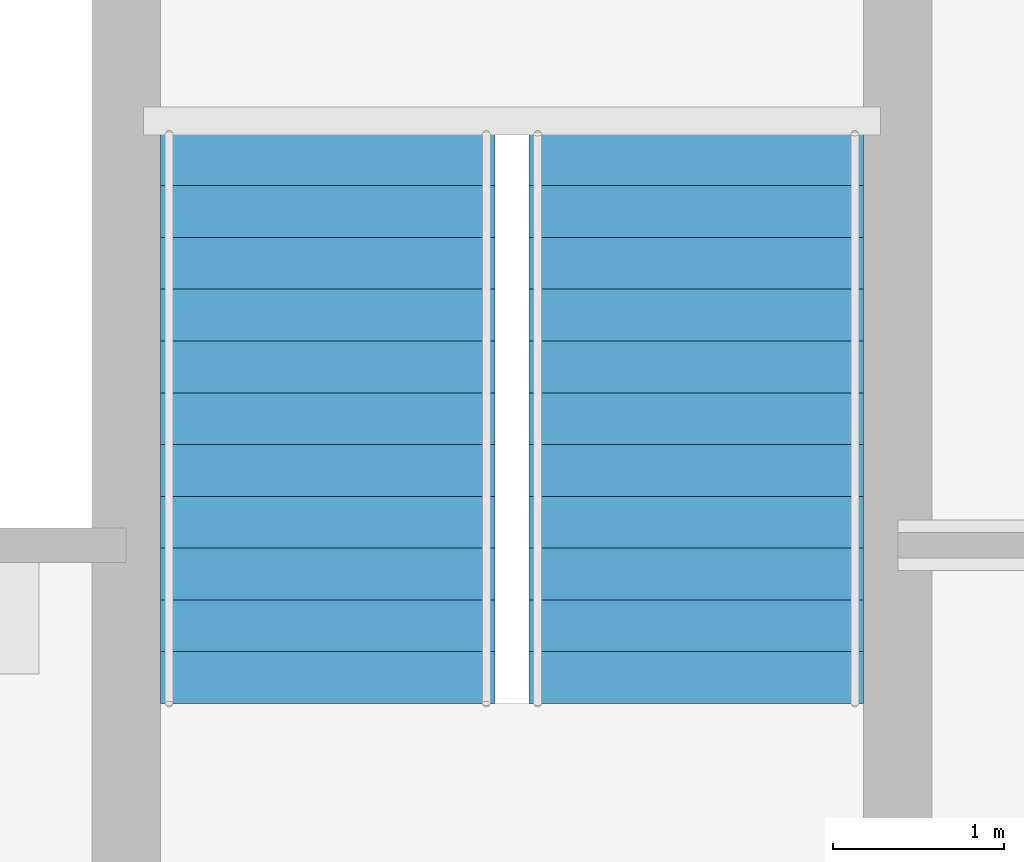
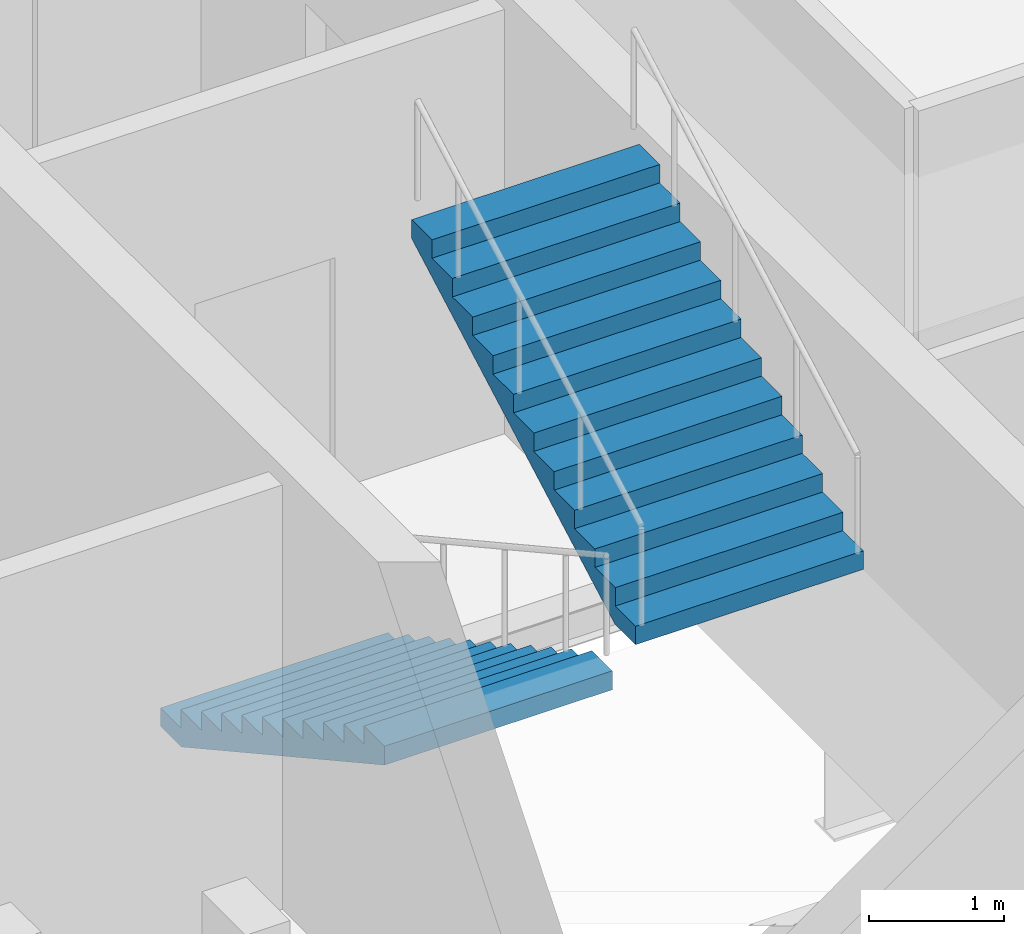
# One storey, part 12 of 14: 2 stair flights, 1 element without a shape of its own.
"""IFC4 building model written with IfcOpenShell, lengths in metres."""

from ifc_helpers import new_model, si_unit, direction, frame, origin, place, context, subcontext, project, spatial, polyline, outline, extrude, material, type_object, element, aggregate, save


model = new_model("IFC4")

# Units and contexts
model_context = context("Model", 3, precision=1e-05, world=origin(), true_north=direction((0.0, 1.0)))
body_context = subcontext(model_context, "Body", "Model", "MODEL_VIEW")
ifc_project = project(units=[si_unit("LENGTHUNIT", "METRE"), si_unit("AREAUNIT", "SQUARE_METRE"), si_unit("VOLUMEUNIT", "CUBIC_METRE"), si_unit("PLANEANGLEUNIT", "RADIAN"), si_unit("MASSUNIT", "GRAM", prefix="KILO")], contexts=[model_context])

# Site, building, storey
site_placement = place(None, origin())
site = spatial("IfcSite", under=ifc_project, at=site_placement, CompositionType="ELEMENT")
building_placement = place(site_placement, origin())
building = spatial("IfcBuilding", under=site, at=building_placement, Name="Corais Broadcast Tower", CompositionType="ELEMENT")
storey_placement = place(building_placement, frame((0.0, 0.0, 246.60009765625)))
storey = spatial("IfcBuildingStorey", under=building, at=storey_placement, Name="L57", CompositionType="ELEMENT", Elevation=246.60009765625)

# Stair, stair flights
ifc_material_1 = material(Name="Concrete C30/37", Category="concrete")
stair_type = type_object("IfcStairType", Name="Half-turn stair 4000", PredefinedType="HALF_TURN_STAIR", material=ifc_material_1)
stair_placement = place(storey_placement, origin())
stair = element("IfcStair", 1, at=stair_placement, inside=storey, type_object=stair_type, Name="Stair B L57", PredefinedType="HALF_TURN_STAIR")
ifc_material_2 = material(Name="Concrete C30/37", Category="concrete")
stair_flight_type = type_object("IfcStairFlightType", Name="Stair flight 4000", PredefinedType="STRAIGHT", material=ifc_material_2)
stair_flight_1_placement = place(storey_placement, frame((37.175048828125, 29.39990234375, 0.0), z_axis=(0.0, 0.0, 1.0), x_axis=(0.0, -1.0, 0.0)))
stair_flight_1 = element("IfcStairFlight", 2, at=stair_flight_1_placement, type_object=stair_flight_type, Name="STB flight 1", NumberOfRisers=12, NumberOfTreads=11, PredefinedType="STRAIGHT", RiserHeight=0.166666667, TreadLength=0.302, context=body_context, shape_type="SweptSolid", body=[
    extrude(outline(polyline([(0.0, 0.0), (0.0, 0.166748046875), (0.302001953125, 0.166748046875), (0.302001953125, 0.333251953125), (0.60400390625, 0.333251953125), (0.60400390625, 0.5), (0.906005859375, 0.5), (0.906005859375, 0.666748046875), (1.2080078125, 0.666748046875), (1.2080078125, 0.833251953125), (1.510009765625, 0.833251953125), (1.510009765625, 1.0), (1.81201171875, 1.0), (1.81201171875, 1.166748046875), (2.114013671875, 1.166748046875), (2.114013671875, 1.333251953125), (2.416015625, 1.333251953125), (2.416015625, 1.5), (2.718017578125, 1.5), (2.718017578125, 1.666748046875), (3.02001953125, 1.666748046875), (3.02001953125, 1.833251953125), (3.322021484375, 1.833251953125), (3.322021484375, 2.0), (3.322021484375, 1.662109375), (0.310302734375, 0.0), (0.0, 0.0)])), frame((0.0, 0.97509765625, 0.0), z_axis=(0.0, -1.0, 0.0), x_axis=(1.0, 0.0, 0.0)), (0.0, 0.0, 1.0), 1.949951171875),
])
stair_flight_2_placement = place(storey_placement, frame((39.324951171875, 26.077880859375, 2.0), z_axis=(0.0, 0.0, 1.0), x_axis=(0.0, 1.0, 0.0)))
stair_flight_2 = element("IfcStairFlight", 3, at=stair_flight_2_placement, type_object=stair_flight_type, Name="STB flight 2", NumberOfRisers=12, NumberOfTreads=11, PredefinedType="STRAIGHT", RiserHeight=0.166666667, TreadLength=0.302, context=body_context, shape_type="SweptSolid", body=[
    extrude(outline(polyline([(0.0, 0.0), (0.0, 0.166748046875), (0.302001953125, 0.166748046875), (0.302001953125, 0.333251953125), (0.60400390625, 0.333251953125), (0.60400390625, 0.5), (0.906005859375, 0.5), (0.906005859375, 0.666748046875), (1.2080078125, 0.666748046875), (1.2080078125, 0.833251953125), (1.510009765625, 0.833251953125), (1.510009765625, 1.0), (1.81201171875, 1.0), (1.81201171875, 1.166748046875), (2.114013671875, 1.166748046875), (2.114013671875, 1.333251953125), (2.416015625, 1.333251953125), (2.416015625, 1.5), (2.718017578125, 1.5), (2.718017578125, 1.666748046875), (3.02001953125, 1.666748046875), (3.02001953125, 1.833251953125), (3.322021484375, 1.833251953125), (3.322021484375, 2.0), (3.322021484375, 1.662109375), (0.310302734375, 0.0), (0.0, 0.0)])), frame((0.0, 0.97509765625, 0.0), z_axis=(0.0, -1.0, 0.0), x_axis=(1.0, 0.0, 0.0)), (0.0, 0.0, 1.0), 1.949951171875),
])
aggregate(stair, [stair_flight_1, stair_flight_2])

save(model, "model.ifc")
